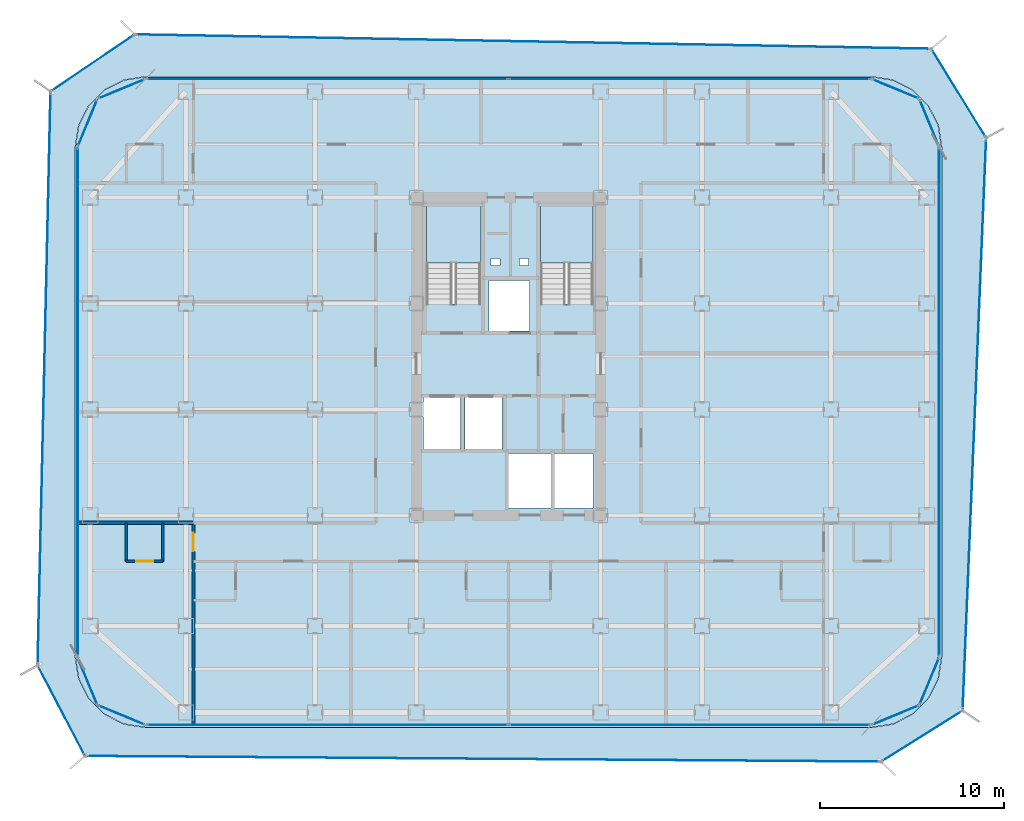
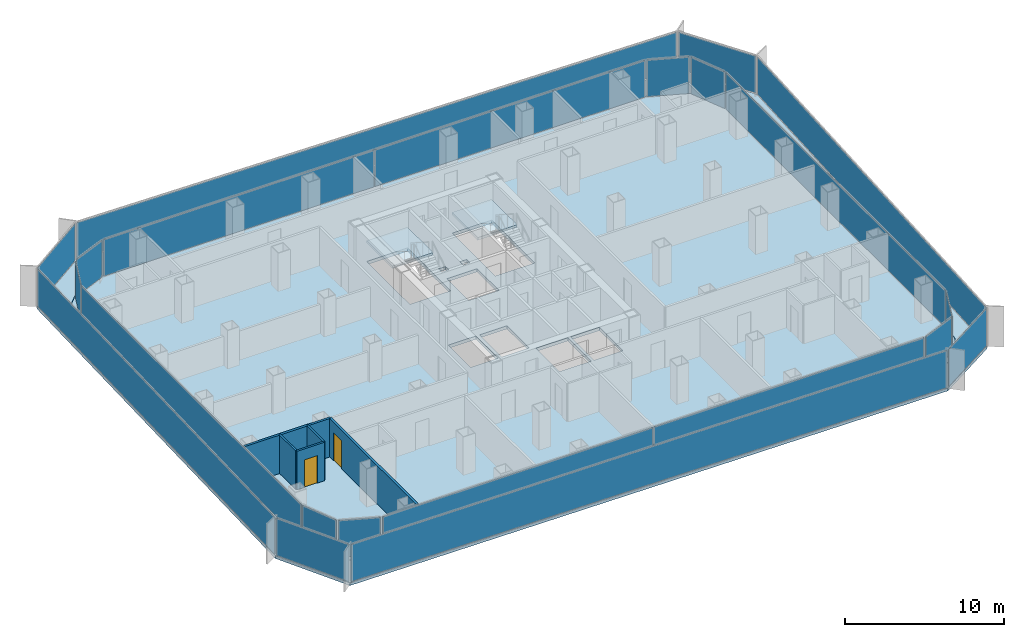
# One storey, part 15 of 21: 22 plates, 5 walls, 4 slabs, 2 doors, 2 openings, 22 elements without a shape of their own.
"""IFC4 building model written with IfcOpenShell, lengths in metres."""

from ifc_helpers import new_model, si_unit, direction, frame, frame_2d, origin, origin_2d, place, context, subcontext, project, spatial, polyline, rectangle, outline, extrude, source, transform, mapped, material, layer, layer_set, type_object, element, fill, aggregate, save


model = new_model("IFC4")

# Units and contexts
model_context = context("Model", 3, precision=1e-05, world=origin(), true_north=direction((0.0, 1.0)))
body_context = subcontext(model_context, "Body", "Model", "MODEL_VIEW")
ifc_project = project(units=[si_unit("LENGTHUNIT", "METRE"), si_unit("AREAUNIT", "SQUARE_METRE"), si_unit("VOLUMEUNIT", "CUBIC_METRE"), si_unit("PLANEANGLEUNIT", "RADIAN"), si_unit("MASSUNIT", "GRAM", prefix="KILO")], contexts=[model_context])

# Site, building, storey
site_placement = place(None, origin())
site = spatial("IfcSite", under=ifc_project, at=site_placement, CompositionType="ELEMENT")
building_placement = place(site_placement, origin())
building = spatial("IfcBuilding", under=site, at=building_placement, Name="Kolveth Station Tower", CompositionType="ELEMENT")
storey_placement = place(building_placement, frame((0.0, 0.0, 105.5)))
storey = spatial("IfcBuildingStorey", under=building, at=storey_placement, Name="L28", CompositionType="ELEMENT", Elevation=105.5)

# Slab
ifc_material_1 = material(Name="Concrete C40/50", Category="concrete")
ifc_layer_1 = layer(ifc_material_1, 0.25)
ifc_layer_set_1 = layer_set([ifc_layer_1], Name="Concrete C40/50")
slab_type_1 = type_object("IfcSlabType", Name="Slab_SF-250", PredefinedType="FLOOR", material=ifc_layer_set_1)
slab_1_placement = place(storey_placement, frame((0.0, 0.0, -0.25)))
element("IfcSlab", 1, at=slab_1_placement, inside=storey, type_object=slab_type_1, Name="L28 Tower Structural Floor Slab", PredefinedType="FLOOR", context=body_context, shape_type="SweptSolid", body=[
    extrude(outline(polyline([(43.199951171875, 0.0), (44.374267578125, 0.18603515625), (45.43359375, 0.7255859375), (46.2744140625, 1.56640625), (46.81396484375, 2.625732421875), (47.0, 3.800048828125), (47.0, 31.5), (46.81396484375, 32.67431640625), (46.2744140625, 33.733642578125), (45.43359375, 34.57421875), (44.374267578125, 35.114013671875), (43.199951171875, 35.300048828125), (3.800048828125, 35.300048828125), (2.625732421875, 35.114013671875), (1.56640625, 34.57421875), (0.7255859375, 33.733642578125), (0.18603515625, 32.67431640625), (0.0, 31.5), (0.0, 3.800048828125), (0.18603515625, 2.625732421875), (0.7255859375, 1.56640625), (1.56640625, 0.7255859375), (2.625732421875, 0.18603515625), (3.800048828125, 0.0), (43.199951171875, 0.0)]), holes=[polyline([(19.0400390625, 22.985107421875), (22.0, 22.985107421875), (22.0, 28.39990234375), (19.0400390625, 28.39990234375), (19.0400390625, 22.985107421875)]), polyline([(25.239990234375, 22.985107421875), (28.10009765625, 22.985107421875), (28.10009765625, 28.39990234375), (25.239990234375, 28.39990234375), (25.239990234375, 22.985107421875)]), polyline([(18.89990234375, 15.10009765625), (20.89990234375, 15.10009765625), (20.89990234375, 17.89990234375), (18.89990234375, 17.89990234375), (18.89990234375, 15.10009765625)]), polyline([(21.14990234375, 15.10009765625), (23.14990234375, 15.10009765625), (23.14990234375, 17.89990234375), (21.14990234375, 17.89990234375), (21.14990234375, 15.10009765625)]), polyline([(22.449951171875, 21.5), (24.64990234375, 21.5), (24.64990234375, 24.25), (22.449951171875, 24.25), (22.449951171875, 21.5)]), polyline([(23.5, 11.89990234375), (25.800048828125, 11.89990234375), (25.800048828125, 14.85009765625), (23.5, 14.85009765625), (23.5, 11.89990234375)]), polyline([(26.0, 11.89990234375), (28.10009765625, 11.89990234375), (28.10009765625, 14.85009765625), (26.0, 14.85009765625), (26.0, 11.89990234375)]), polyline([(22.550048828125, 25.050048828125), (23.050048828125, 25.050048828125), (23.050048828125, 25.449951171875), (22.550048828125, 25.449951171875), (22.550048828125, 25.050048828125)]), polyline([(24.10009765625, 25.050048828125), (24.60009765625, 25.050048828125), (24.60009765625, 25.449951171875), (24.10009765625, 25.449951171875), (24.10009765625, 25.050048828125)])]), origin(), (0.0, 0.0, 1.0), 0.25),
])

# Stair, slab
stair_type_1 = type_object("IfcStairType", Name="Stair_ST2", PredefinedType="HALF_TURN_STAIR", material=ifc_material_1)
stair_1_placement = place(storey_placement, origin())
stair_1 = element("IfcStair", 2, at=stair_1_placement, inside=storey, type_object=stair_type_1, Name="L28 Tower Exit Stair ST2", PredefinedType="HALF_TURN_STAIR")
ifc_layer_2 = layer(ifc_material_1, 0.18994140625)
ifc_layer_set_2 = layer_set([ifc_layer_2], Name="Concrete C40/50")
slab_type_2 = type_object("IfcSlabType", Name="Slab_SL-190", PredefinedType="LANDING", material=ifc_layer_set_2)
slab_2_placement = place(storey_placement, frame((0.0, 0.0, 1.39990234375)))
slab_2 = element("IfcSlab", 3, at=slab_2_placement, type_object=slab_type_2, Name="ST2 landing 1", PredefinedType="LANDING", context=body_context, shape_type="SweptSolid", body=[
    extrude(outline(polyline([(28.10009765625, 25.18994140625), (28.10009765625, 28.39990234375), (25.239990234375, 28.39990234375), (25.239990234375, 25.18994140625), (28.10009765625, 25.18994140625)])), origin(), (0.0, 0.0, 1.0), 0.2001953125),
])
aggregate(stair_1, [slab_2])

stair_type_2 = type_object("IfcStairType", Name="Stair_ST1", PredefinedType="HALF_TURN_STAIR", material=ifc_material_1)
stair_2_placement = place(storey_placement, origin())
stair_2 = element("IfcStair", 4, at=stair_2_placement, inside=storey, type_object=stair_type_2, Name="L28 Tower Exit Stair ST1", PredefinedType="HALF_TURN_STAIR")
ifc_layer_3 = layer(ifc_material_1, 0.205078125)
ifc_layer_set_3 = layer_set([ifc_layer_3], Name="Concrete C40/50")
slab_type_3 = type_object("IfcSlabType", Name="Slab_SL-205", PredefinedType="LANDING", material=ifc_layer_set_3)
slab_3_placement = place(storey_placement, frame((0.0, 0.0, 1.39990234375)))
slab_3 = element("IfcSlab", 5, at=slab_3_placement, type_object=slab_type_3, Name="ST1 landing 1", PredefinedType="LANDING", context=body_context, shape_type="SweptSolid", body=[
    extrude(outline(polyline([(22.0, 25.18994140625), (22.0, 28.39990234375), (19.0400390625, 28.39990234375), (19.0400390625, 25.18994140625), (22.0, 25.18994140625)])), origin(), (0.0, 0.0, 1.0), 0.2001953125),
])
aggregate(stair_2, [slab_3])

# Slab
ifc_layer_4 = layer(ifc_material_1, 0.2099609375)
ifc_layer_set_4 = layer_set([ifc_layer_4], Name="Concrete C40/50")
slab_type_4 = type_object("IfcSlabType", Name="Slab_ST-210", PredefinedType="FLOOR", material=ifc_layer_set_4)
slab_4_placement = place(storey_placement, frame((0.0, 0.0, -0.2099609375)))
element("IfcSlab", 6, at=slab_4_placement, inside=storey, type_object=slab_type_4, Name="L28 Double-Skin Cavity Structural Ledger Ring", PredefinedType="FLOOR", context=body_context, shape_type="SweptSolid", body=[
    extrude(outline(polyline([(0.52734375, -1.559326171875), (-2.049072265625, 3.3623046875), (-1.34521484375, 34.50830078125), (3.21826171875, 37.59814453125), (46.450439453125, 36.8203125), (49.429443359375, 31.985595703125), (48.150146484375, 0.904052734375), (43.728515625, -1.8681640625), (0.52734375, -1.559326171875)]), holes=[polyline([(43.202392578125, -0.014892578125), (44.376708984375, 0.171142578125), (44.381103515625, 0.172607421875), (45.4404296875, 0.71240234375), (45.444091796875, 0.715087890625), (46.284912109375, 1.555908203125), (46.28759765625, 1.5595703125), (46.827392578125, 2.618896484375), (46.828857421875, 2.623291015625), (47.014892578125, 3.797607421875), (47.014892578125, 3.800048828125), (47.014892578125, 31.5), (47.014892578125, 31.502197265625), (46.828857421875, 32.676513671875), (46.827392578125, 32.68115234375), (46.28759765625, 33.740478515625), (46.284912109375, 33.744140625), (45.444091796875, 34.5849609375), (45.4404296875, 34.587646484375), (44.381103515625, 35.12744140625), (44.376708984375, 35.12890625), (43.202392578125, 35.314697265625), (43.199951171875, 35.31494140625), (3.800048828125, 35.31494140625), (3.797607421875, 35.314697265625), (2.623291015625, 35.12890625), (2.618896484375, 35.12744140625), (1.5595703125, 34.587646484375), (1.555908203125, 34.5849609375), (0.715087890625, 33.744140625), (0.71240234375, 33.740478515625), (0.172607421875, 32.68115234375), (0.171142578125, 32.676513671875), (-0.014892578125, 31.502197265625), (-0.014892578125, 31.5), (-0.014892578125, 3.800048828125), (-0.014892578125, 3.797607421875), (0.171142578125, 2.623291015625), (0.172607421875, 2.618896484375), (0.71240234375, 1.5595703125), (0.715087890625, 1.555908203125), (1.555908203125, 0.715087890625), (1.5595703125, 0.71240234375), (2.618896484375, 0.172607421875), (2.623291015625, 0.171142578125), (3.797607421875, -0.014892578125), (3.800048828125, -0.014892578125), (43.199951171875, -0.014892578125), (43.202392578125, -0.014892578125)])]), origin(), (0.0, 0.0, 1.0), 0.2099609375),
])

# Curtain wall, plate
ifc_material_2 = material(Name="Aluminium 6063-T6 and low-E dark glass", Category="aluminium")
ifc_layer_5 = layer(ifc_material_2, 0.18994140625)
ifc_layer_set_5 = layer_set([ifc_layer_5], Name="Aluminium 6063-T6 and low-E dark glass")
curtain_wall_type_1 = type_object("IfcCurtainWallType", Name="CurtainWall_CW-Z2", PredefinedType="NOTDEFINED", material=ifc_layer_set_5)
curtain_wall_1_placement = place(storey_placement, origin())
curtain_wall_1 = element("IfcCurtainWall", 7, at=curtain_wall_1_placement, inside=storey, type_object=curtain_wall_type_1, Name="L28 Inner Thermal Curtain Wall 1", PredefinedType="NOTDEFINED")
ifc_material_3 = material(Name="Architectural low-E dark glass", Category="glass")
ifc_layer_6 = layer(ifc_material_3, 0.0380859375)
ifc_layer_set_6 = layer_set([ifc_layer_6], Name="Architectural low-E dark glass")
plate_type_1 = type_object("IfcPlateType", Name="Panel_GL2", PredefinedType="CURTAIN_PANEL", material=ifc_layer_set_6)
shared_shape_1 = source(origin(), body_context, "Body", "SweptSolid", [
    extrude(rectangle(XDim=2.670654296875, YDim=0.0380859375, at=origin_2d()), origin(), (0.0, 0.0, 1.0), 2.803955078125),
])
plate_1_placement = place(storey_placement, frame((44.501220703125, 0.658935546875, 0.0732421875), z_axis=(0.0, 0.0, 1.0), x_axis=(0.923887883787, 0.38266326998, 0.0)))
plate_1 = element("IfcPlate", 8, at=plate_1_placement, type_object=plate_type_1, Name="CW-Z2 panel 1.1", PredefinedType="CURTAIN_PANEL", context=body_context, shape_type="MappedRepresentation", body=[
    mapped(shared_shape_1, transform((0.0, 0.0, 0.0), x_axis=(1.0, 0.0, 0.0), y_axis=(0.0, 1.0, 0.0), z_axis=(0.0, 0.0, 1.0), scale=1.0)),
])
aggregate(curtain_wall_1, [plate_1])

curtain_wall_2_placement = place(storey_placement, origin())
curtain_wall_2 = element("IfcCurtainWall", 9, at=curtain_wall_2_placement, inside=storey, type_object=curtain_wall_type_1, Name="L28 Inner Thermal Curtain Wall 2", PredefinedType="NOTDEFINED")
plate_2_placement = place(storey_placement, frame((46.341064453125, 2.498779296875, 0.0732421875), z_axis=(0.0, 0.0, 1.0), x_axis=(0.38266326998, 0.923887883787, 0.0)))
plate_2 = element("IfcPlate", 10, at=plate_2_placement, type_object=plate_type_1, Name="CW-Z2 panel 1.1", PredefinedType="CURTAIN_PANEL", context=body_context, shape_type="MappedRepresentation", body=[
    mapped(shared_shape_1, transform((0.0, 0.0, 0.0), x_axis=(1.0, 0.0, 0.0), y_axis=(0.0, 1.0, 0.0), z_axis=(0.0, 0.0, 1.0), scale=1.0)),
])
aggregate(curtain_wall_2, [plate_2])

curtain_wall_3_placement = place(storey_placement, origin())
curtain_wall_3 = element("IfcCurtainWall", 11, at=curtain_wall_3_placement, inside=storey, type_object=curtain_wall_type_1, Name="L28 Inner Thermal Curtain Wall 4", PredefinedType="NOTDEFINED")
plate_3_placement = place(storey_placement, frame((46.341064453125, 32.801025390625, 0.0732421875), z_axis=(0.0, 0.0, 1.0), x_axis=(-0.38266326998, 0.923887883787, 0.0)))
plate_3 = element("IfcPlate", 12, at=plate_3_placement, type_object=plate_type_1, Name="CW-Z2 panel 1.1", PredefinedType="CURTAIN_PANEL", context=body_context, shape_type="MappedRepresentation", body=[
    mapped(shared_shape_1, transform((0.0, 0.0, 0.0), x_axis=(1.0, 0.0, 0.0), y_axis=(0.0, 1.0, 0.0), z_axis=(0.0, 0.0, 1.0), scale=1.0)),
])
aggregate(curtain_wall_3, [plate_3])

curtain_wall_4_placement = place(storey_placement, origin())
curtain_wall_4 = element("IfcCurtainWall", 13, at=curtain_wall_4_placement, inside=storey, type_object=curtain_wall_type_1, Name="L28 Inner Thermal Curtain Wall 5", PredefinedType="NOTDEFINED")
plate_4_placement = place(storey_placement, frame((44.501220703125, 34.64111328125, 0.0732421875), z_axis=(0.0, 0.0, 1.0), x_axis=(-0.923887883787, 0.38266326998, 0.0)))
plate_4 = element("IfcPlate", 14, at=plate_4_placement, type_object=plate_type_1, Name="CW-Z2 panel 1.1", PredefinedType="CURTAIN_PANEL", context=body_context, shape_type="MappedRepresentation", body=[
    mapped(shared_shape_1, transform((0.0, 0.0, 0.0), x_axis=(1.0, 0.0, 0.0), y_axis=(0.0, 1.0, 0.0), z_axis=(0.0, 0.0, 1.0), scale=1.0)),
])
aggregate(curtain_wall_4, [plate_4])

curtain_wall_5_placement = place(storey_placement, origin())
curtain_wall_5 = element("IfcCurtainWall", 15, at=curtain_wall_5_placement, inside=storey, type_object=curtain_wall_type_1, Name="L28 Inner Thermal Curtain Wall 7", PredefinedType="NOTDEFINED")
plate_5_placement = place(storey_placement, frame((2.498779296875, 34.64111328125, 0.0732421875), z_axis=(0.0, 0.0, 1.0), x_axis=(-0.923887883787, -0.38266326998, 0.0)))
plate_5 = element("IfcPlate", 16, at=plate_5_placement, type_object=plate_type_1, Name="CW-Z2 panel 1.1", PredefinedType="CURTAIN_PANEL", context=body_context, shape_type="MappedRepresentation", body=[
    mapped(shared_shape_1, transform((0.0, 0.0, 0.0), x_axis=(1.0, 0.0, 0.0), y_axis=(0.0, 1.0, 0.0), z_axis=(0.0, 0.0, 1.0), scale=1.0)),
])
aggregate(curtain_wall_5, [plate_5])

curtain_wall_6_placement = place(storey_placement, origin())
curtain_wall_6 = element("IfcCurtainWall", 17, at=curtain_wall_6_placement, inside=storey, type_object=curtain_wall_type_1, Name="L28 Inner Thermal Curtain Wall 8", PredefinedType="NOTDEFINED")
plate_6_placement = place(storey_placement, frame((0.658935546875, 32.801025390625, 0.0732421875), z_axis=(0.0, 0.0, 1.0), x_axis=(-0.38266326998, -0.923887883787, 0.0)))
plate_6 = element("IfcPlate", 18, at=plate_6_placement, type_object=plate_type_1, Name="CW-Z2 panel 1.1", PredefinedType="CURTAIN_PANEL", context=body_context, shape_type="MappedRepresentation", body=[
    mapped(shared_shape_1, transform((0.0, 0.0, 0.0), x_axis=(1.0, 0.0, 0.0), y_axis=(0.0, 1.0, 0.0), z_axis=(0.0, 0.0, 1.0), scale=1.0)),
])
aggregate(curtain_wall_6, [plate_6])

curtain_wall_7_placement = place(storey_placement, origin())
curtain_wall_7 = element("IfcCurtainWall", 19, at=curtain_wall_7_placement, inside=storey, type_object=curtain_wall_type_1, Name="L28 Inner Thermal Curtain Wall 10", PredefinedType="NOTDEFINED")
plate_7_placement = place(storey_placement, frame((0.658935546875, 2.498779296875, 0.0732421875), z_axis=(0.0, 0.0, 1.0), x_axis=(0.38266326998, -0.923887883787, 0.0)))
plate_7 = element("IfcPlate", 20, at=plate_7_placement, type_object=plate_type_1, Name="CW-Z2 panel 1.1", PredefinedType="CURTAIN_PANEL", context=body_context, shape_type="MappedRepresentation", body=[
    mapped(shared_shape_1, transform((0.0, 0.0, 0.0), x_axis=(1.0, 0.0, 0.0), y_axis=(0.0, 1.0, 0.0), z_axis=(0.0, 0.0, 1.0), scale=1.0)),
])
aggregate(curtain_wall_7, [plate_7])

curtain_wall_8_placement = place(storey_placement, origin())
curtain_wall_8 = element("IfcCurtainWall", 21, at=curtain_wall_8_placement, inside=storey, type_object=curtain_wall_type_1, Name="L28 Inner Thermal Curtain Wall 11", PredefinedType="NOTDEFINED")
plate_8_placement = place(storey_placement, frame((2.498779296875, 0.658935546875, 0.0732421875), z_axis=(0.0, 0.0, 1.0), x_axis=(0.923887883787, -0.38266326998, 0.0)))
plate_8 = element("IfcPlate", 22, at=plate_8_placement, type_object=plate_type_1, Name="CW-Z2 panel 1.1", PredefinedType="CURTAIN_PANEL", context=body_context, shape_type="MappedRepresentation", body=[
    mapped(shared_shape_1, transform((0.0, 0.0, 0.0), x_axis=(1.0, 0.0, 0.0), y_axis=(0.0, 1.0, 0.0), z_axis=(0.0, 0.0, 1.0), scale=1.0)),
])
aggregate(curtain_wall_8, [plate_8])

curtain_wall_9_placement = place(storey_placement, origin())
curtain_wall_9 = element("IfcCurtainWall", 23, at=curtain_wall_9_placement, inside=storey, type_object=curtain_wall_type_1, Name="L28 Inner Thermal Curtain Wall 3", PredefinedType="NOTDEFINED")
shared_shape_2 = source(origin(), body_context, "Body", "SweptSolid", [
    extrude(rectangle(XDim=27.553955078125, YDim=0.0380859375, at=origin_2d()), origin(), (0.0, 0.0, 1.0), 2.803955078125),
])
plate_9_placement = place(storey_placement, frame((46.8798828125, 17.64990234375, 0.0732421875), z_axis=(0.0, 0.0, 1.0), x_axis=(0.0, 1.0, 0.0)))
plate_9 = element("IfcPlate", 24, at=plate_9_placement, type_object=plate_type_1, Name="CW-Z2 panel 1.1", PredefinedType="CURTAIN_PANEL", context=body_context, shape_type="MappedRepresentation", body=[
    mapped(shared_shape_2, transform((0.0, 0.0, 0.0), x_axis=(1.0, 0.0, 0.0), y_axis=(0.0, 1.0, 0.0), z_axis=(0.0, 0.0, 1.0), scale=1.0)),
])
aggregate(curtain_wall_9, [plate_9])

curtain_wall_10_placement = place(storey_placement, origin())
curtain_wall_10 = element("IfcCurtainWall", 25, at=curtain_wall_10_placement, inside=storey, type_object=curtain_wall_type_1, Name="L28 Inner Thermal Curtain Wall 9", PredefinedType="NOTDEFINED")
plate_10_placement = place(storey_placement, frame((0.1201171875, 17.64990234375, 0.0732421875), z_axis=(0.0, 0.0, 1.0), x_axis=(0.0, -1.0, 0.0)))
plate_10 = element("IfcPlate", 26, at=plate_10_placement, type_object=plate_type_1, Name="CW-Z2 panel 1.1", PredefinedType="CURTAIN_PANEL", context=body_context, shape_type="MappedRepresentation", body=[
    mapped(shared_shape_2, transform((0.0, 0.0, 0.0), x_axis=(1.0, 0.0, 0.0), y_axis=(0.0, 1.0, 0.0), z_axis=(0.0, 0.0, 1.0), scale=1.0)),
])
aggregate(curtain_wall_10, [plate_10])

# Curtain wall, plates
curtain_wall_11_placement = place(storey_placement, origin())
curtain_wall_11 = element("IfcCurtainWall", 27, at=curtain_wall_11_placement, inside=storey, type_object=curtain_wall_type_1, Name="L28 Inner Thermal Curtain Wall 6", PredefinedType="NOTDEFINED")
shared_shape_3 = source(origin(), body_context, "Body", "SweptSolid", [
    extrude(rectangle(XDim=19.593994140625, YDim=0.0380859375, at=origin_2d()), origin(), (0.0, 0.0, 1.0), 2.803955078125),
])
plate_11_placement = place(storey_placement, frame((33.330078125, 35.179931640625, 0.0732421875), z_axis=(0.0, 0.0, 1.0), x_axis=(-1.0, 0.0, 0.0)))
plate_11 = element("IfcPlate", 28, at=plate_11_placement, type_object=plate_type_1, Name="CW-Z2 panel 1.1", PredefinedType="CURTAIN_PANEL", context=body_context, shape_type="MappedRepresentation", body=[
    mapped(shared_shape_3, transform((0.0, 0.0, 0.0), x_axis=(1.0, 0.0, 0.0), y_axis=(0.0, 1.0, 0.0), z_axis=(0.0, 0.0, 1.0), scale=1.0)),
])
plate_12_placement = place(storey_placement, frame((13.669921875, 35.179931640625, 0.0732421875), z_axis=(0.0, 0.0, 1.0), x_axis=(-1.0, 0.0, 0.0)))
plate_12 = element("IfcPlate", 29, at=plate_12_placement, type_object=plate_type_1, Name="CW-Z2 panel 2.1", PredefinedType="CURTAIN_PANEL", context=body_context, shape_type="MappedRepresentation", body=[
    mapped(shared_shape_3, transform((0.0, 0.0, 0.0), x_axis=(1.0, 0.0, 0.0), y_axis=(0.0, 1.0, 0.0), z_axis=(0.0, 0.0, 1.0), scale=1.0)),
])
aggregate(curtain_wall_11, [plate_11, plate_12])

curtain_wall_12_placement = place(storey_placement, origin())
curtain_wall_12 = element("IfcCurtainWall", 30, at=curtain_wall_12_placement, inside=storey, type_object=curtain_wall_type_1, Name="L28 Inner Thermal Curtain Wall 12", PredefinedType="NOTDEFINED")
plate_13_placement = place(storey_placement, frame((13.669921875, 0.1201171875, 0.0732421875), z_axis=(0.0, 0.0, 1.0), x_axis=(1.0, 0.0, 0.0)))
plate_13 = element("IfcPlate", 31, at=plate_13_placement, type_object=plate_type_1, Name="CW-Z2 panel 1.1", PredefinedType="CURTAIN_PANEL", context=body_context, shape_type="MappedRepresentation", body=[
    mapped(shared_shape_3, transform((0.0, 0.0, 0.0), x_axis=(1.0, 0.0, 0.0), y_axis=(0.0, 1.0, 0.0), z_axis=(0.0, 0.0, 1.0), scale=1.0)),
])
plate_14_placement = place(storey_placement, frame((33.330078125, 0.1201171875, 0.0732421875), z_axis=(0.0, 0.0, 1.0), x_axis=(1.0, 0.0, 0.0)))
plate_14 = element("IfcPlate", 32, at=plate_14_placement, type_object=plate_type_1, Name="CW-Z2 panel 2.1", PredefinedType="CURTAIN_PANEL", context=body_context, shape_type="MappedRepresentation", body=[
    mapped(shared_shape_3, transform((0.0, 0.0, 0.0), x_axis=(1.0, 0.0, 0.0), y_axis=(0.0, 1.0, 0.0), z_axis=(0.0, 0.0, 1.0), scale=1.0)),
])
aggregate(curtain_wall_12, [plate_13, plate_14])

# Curtain wall, plate
ifc_material_4 = material(Name="Black anodized aluminium 6063-T6 and dark solar glass", Category="aluminium")
ifc_layer_7 = layer(ifc_material_4, 0.159912109375)
ifc_layer_set_7 = layer_set([ifc_layer_7], Name="Black anodized aluminium 6063-T6 and dark solar glass")
curtain_wall_type_2 = type_object("IfcCurtainWallType", Name="OUTER SKIN CW-OS", PredefinedType="NOTDEFINED", material=ifc_layer_set_7)
curtain_wall_13_placement = place(storey_placement, origin())
curtain_wall_13 = element("IfcCurtainWall", 33, at=curtain_wall_13_placement, inside=storey, type_object=curtain_wall_type_2, Name="L28 Outer Ventilated Skin Curtain Wall 1", PredefinedType="NOTDEFINED")
ifc_layer_8 = layer(ifc_material_3, 0.028076171875)
ifc_layer_set_8 = layer_set([ifc_layer_8], Name="Architectural low-E dark glass")
plate_type_2 = type_object("IfcPlateType", Name="Panel_GL-OS", PredefinedType="CURTAIN_PANEL", material=ifc_layer_set_8)
shared_shape_4 = source(origin(), body_context, "Body", "SweptSolid", [
    extrude(rectangle(XDim=5.052490234375, YDim=0.028076171875, at=origin_2d()), origin(), (0.0, 0.0, 1.0), 2.843994140625),
])
plate_15_placement = place(storey_placement, frame((45.939453125, -0.48193359375, 0.0732421875), z_axis=(0.0, 0.0, 1.0), x_axis=(0.847251434555, 0.531192061917, 0.0)))
plate_15 = element("IfcPlate", 34, at=plate_15_placement, type_object=plate_type_2, Name="CW-OS panel 1.1", PredefinedType="CURTAIN_PANEL", context=body_context, shape_type="MappedRepresentation", body=[
    mapped(shared_shape_4, transform((0.0, 0.0, 0.0), x_axis=(1.0, 0.0, 0.0), y_axis=(0.0, 1.0, 0.0), z_axis=(0.0, 0.0, 1.0), scale=1.0)),
])
aggregate(curtain_wall_13, [plate_15])

curtain_wall_14_placement = place(storey_placement, origin())
curtain_wall_14 = element("IfcCurtainWall", 35, at=curtain_wall_14_placement, inside=storey, type_object=curtain_wall_type_2, Name="L28 Outer Ventilated Skin Curtain Wall 2", PredefinedType="NOTDEFINED")
shared_shape_5 = source(origin(), body_context, "Body", "SweptSolid", [
    extrude(rectangle(XDim=30.94189453125, YDim=0.028076171875, at=origin_2d()), origin(), (0.0, 0.0, 1.0), 2.843994140625),
])
plate_16_placement = place(storey_placement, frame((48.789794921875, 16.44482421875, 0.0732421875), z_axis=(0.0, 0.0, 1.0), x_axis=(0.041127657099, 0.999153899968, 0.0)))
plate_16 = element("IfcPlate", 36, at=plate_16_placement, type_object=plate_type_2, Name="CW-OS panel 1.1", PredefinedType="CURTAIN_PANEL", context=body_context, shape_type="MappedRepresentation", body=[
    mapped(shared_shape_5, transform((0.0, 0.0, 0.0), x_axis=(1.0, 0.0, 0.0), y_axis=(0.0, 1.0, 0.0), z_axis=(0.0, 0.0, 1.0), scale=1.0)),
])
aggregate(curtain_wall_14, [plate_16])

curtain_wall_15_placement = place(storey_placement, origin())
curtain_wall_15 = element("IfcCurtainWall", 37, at=curtain_wall_15_placement, inside=storey, type_object=curtain_wall_type_2, Name="L28 Outer Ventilated Skin Curtain Wall 3", PredefinedType="NOTDEFINED")
shared_shape_6 = source(origin(), body_context, "Body", "SweptSolid", [
    extrude(rectangle(XDim=5.5126953125, YDim=0.028076171875, at=origin_2d()), origin(), (0.0, 0.0, 1.0), 2.843994140625),
])
plate_17_placement = place(storey_placement, frame((47.93994140625, 34.403076171875, 0.0732421875), z_axis=(0.0, 0.0, 1.0), x_axis=(-0.524590558272, 0.85135465358, 0.0)))
plate_17 = element("IfcPlate", 38, at=plate_17_placement, type_object=plate_type_2, Name="CW-OS panel 1.1", PredefinedType="CURTAIN_PANEL", context=body_context, shape_type="MappedRepresentation", body=[
    mapped(shared_shape_6, transform((0.0, 0.0, 0.0), x_axis=(1.0, 0.0, 0.0), y_axis=(0.0, 1.0, 0.0), z_axis=(0.0, 0.0, 1.0), scale=1.0)),
])
aggregate(curtain_wall_15, [plate_17])

curtain_wall_16_placement = place(storey_placement, origin())
curtain_wall_16 = element("IfcCurtainWall", 39, at=curtain_wall_16_placement, inside=storey, type_object=curtain_wall_type_2, Name="L28 Outer Ventilated Skin Curtain Wall 4", PredefinedType="NOTDEFINED")
shared_shape_7 = source(origin(), body_context, "Body", "SweptSolid", [
    extrude(rectangle(XDim=43.0732421875, YDim=0.028076171875, at=origin_2d()), origin(), (0.0, 0.0, 1.0), 2.843994140625),
])
plate_18_placement = place(storey_placement, frame((24.834228515625, 37.209228515625, 0.0732421875), z_axis=(0.0, 0.0, 1.0), x_axis=(-0.99983815644, 0.017990578845, 0.0)))
plate_18 = element("IfcPlate", 40, at=plate_18_placement, type_object=plate_type_2, Name="CW-OS panel 1.1", PredefinedType="CURTAIN_PANEL", context=body_context, shape_type="MappedRepresentation", body=[
    mapped(shared_shape_7, transform((0.0, 0.0, 0.0), x_axis=(1.0, 0.0, 0.0), y_axis=(0.0, 1.0, 0.0), z_axis=(0.0, 0.0, 1.0), scale=1.0)),
])
aggregate(curtain_wall_16, [plate_18])

curtain_wall_17_placement = place(storey_placement, origin())
curtain_wall_17 = element("IfcCurtainWall", 41, at=curtain_wall_17_placement, inside=storey, type_object=curtain_wall_type_2, Name="L28 Outer Ventilated Skin Curtain Wall 5", PredefinedType="NOTDEFINED")
shared_shape_8 = source(origin(), body_context, "Body", "SweptSolid", [
    extrude(rectangle(XDim=5.34521484375, YDim=0.028076171875, at=origin_2d()), origin(), (0.0, 0.0, 1.0), 2.843994140625),
])
plate_19_placement = place(storey_placement, frame((0.9365234375, 36.05322265625, 0.0732421875), z_axis=(0.0, 0.0, 1.0), x_axis=(-0.828025489561, -0.560690457059, 0.0)))
plate_19 = element("IfcPlate", 42, at=plate_19_placement, type_object=plate_type_2, Name="CW-OS panel 1.1", PredefinedType="CURTAIN_PANEL", context=body_context, shape_type="MappedRepresentation", body=[
    mapped(shared_shape_8, transform((0.0, 0.0, 0.0), x_axis=(1.0, 0.0, 0.0), y_axis=(0.0, 1.0, 0.0), z_axis=(0.0, 0.0, 1.0), scale=1.0)),
])
aggregate(curtain_wall_17, [plate_19])

curtain_wall_18_placement = place(storey_placement, origin())
curtain_wall_18 = element("IfcCurtainWall", 43, at=curtain_wall_18_placement, inside=storey, type_object=curtain_wall_type_2, Name="L28 Outer Ventilated Skin Curtain Wall 6", PredefinedType="NOTDEFINED")
shared_shape_9 = source(origin(), body_context, "Body", "SweptSolid", [
    extrude(rectangle(XDim=30.98779296875, YDim=0.028076171875, at=origin_2d()), origin(), (0.0, 0.0, 1.0), 2.843994140625),
])
plate_20_placement = place(storey_placement, frame((-1.697021484375, 18.935302734375, 0.0732421875), z_axis=(0.0, 0.0, 1.0), x_axis=(-0.022594388462, -0.99974471422, 0.0)))
plate_20 = element("IfcPlate", 44, at=plate_20_placement, type_object=plate_type_2, Name="CW-OS panel 1.1", PredefinedType="CURTAIN_PANEL", context=body_context, shape_type="MappedRepresentation", body=[
    mapped(shared_shape_9, transform((0.0, 0.0, 0.0), x_axis=(1.0, 0.0, 0.0), y_axis=(0.0, 1.0, 0.0), z_axis=(0.0, 0.0, 1.0), scale=1.0)),
])
aggregate(curtain_wall_18, [plate_20])

curtain_wall_19_placement = place(storey_placement, origin())
curtain_wall_19 = element("IfcCurtainWall", 45, at=curtain_wall_19_placement, inside=storey, type_object=curtain_wall_type_2, Name="L28 Outer Ventilated Skin Curtain Wall 7", PredefinedType="NOTDEFINED")
shared_shape_10 = source(origin(), body_context, "Body", "SweptSolid", [
    extrude(rectangle(XDim=5.38916015625, YDim=0.028076171875, at=origin_2d()), origin(), (0.0, 0.0, 1.0), 2.843994140625),
])
plate_21_placement = place(storey_placement, frame((-0.7607421875, 0.901611328125, 0.0732421875), z_axis=(0.0, 0.0, 1.0), x_axis=(0.463762136464, -0.88595975122, 0.0)))
plate_21 = element("IfcPlate", 46, at=plate_21_placement, type_object=plate_type_2, Name="CW-OS panel 1.1", PredefinedType="CURTAIN_PANEL", context=body_context, shape_type="MappedRepresentation", body=[
    mapped(shared_shape_10, transform((0.0, 0.0, 0.0), x_axis=(1.0, 0.0, 0.0), y_axis=(0.0, 1.0, 0.0), z_axis=(0.0, 0.0, 1.0), scale=1.0)),
])
aggregate(curtain_wall_19, [plate_21])

curtain_wall_20_placement = place(storey_placement, origin())
curtain_wall_20 = element("IfcCurtainWall", 47, at=curtain_wall_20_placement, inside=storey, type_object=curtain_wall_type_2, Name="L28 Outer Ventilated Skin Curtain Wall 8", PredefinedType="NOTDEFINED")
shared_shape_11 = source(origin(), body_context, "Body", "SweptSolid", [
    extrude(rectangle(XDim=43.036376953125, YDim=0.028076171875, at=origin_2d()), origin(), (0.0, 0.0, 1.0), 2.843994140625),
])
plate_22_placement = place(storey_placement, frame((22.1279296875, -1.713623046875, 0.0732421875), z_axis=(0.0, 0.0, 1.0), x_axis=(0.999974454505, -0.007147750448, 0.0)))
plate_22 = element("IfcPlate", 48, at=plate_22_placement, type_object=plate_type_2, Name="CW-OS panel 1.1", PredefinedType="CURTAIN_PANEL", context=body_context, shape_type="MappedRepresentation", body=[
    mapped(shared_shape_11, transform((0.0, 0.0, 0.0), x_axis=(1.0, 0.0, 0.0), y_axis=(0.0, 1.0, 0.0), z_axis=(0.0, 0.0, 1.0), scale=1.0)),
])
aggregate(curtain_wall_20, [plate_22])

# Walls
ifc_material_5 = material(Name="Moisture-resistant gypsum partition")
ifc_layer_9 = layer(ifc_material_5, 0.135009765625)
ifc_layer_set_9 = layer_set([ifc_layer_9], Name="Moisture-resistant gypsum partition")
wall_type_1 = type_object("IfcWallType", Name="Wall_IW-135", PredefinedType="PARTITIONING", material=ifc_layer_set_9)
for number, where, z_axis, x_axis, name in (
    (49, (2.75, 9.0, 0.0), (0.0, 0.0, 1.0), (0.0, 1.0, 0.0), "L28 Partition Wall WL-L28-WS1-BV1"),
    (50, (4.75, 9.0, 0.0), (0.0, 0.0, 1.0), (0.0, 1.0, 0.0), "L28 Partition Wall WL-L28-WS1-BV2"),
):
    element("IfcWall", number, at=place(storey_placement, frame(where, z_axis=z_axis, x_axis=x_axis)), inside=storey, type_object=wall_type_1, Name=name, PredefinedType="PARTITIONING", context=body_context, shape_type="SweptSolid", body=[
        extrude(rectangle(XDim=2.10009765625, YDim=0.135009765625, at=frame_2d((1.050048828125, 0.0))), origin(), (0.0, 0.0, 1.0), 2.949951171875),
    ])

# Wall, opening, door
wall_1_placement = place(storey_placement, frame((2.75, 9.0, 0.0), z_axis=(0.0, 0.0, 1.0), x_axis=(1.0, 0.0, 0.0)))
wall_1 = element("IfcWall", 51, at=wall_1_placement, inside=storey, type_object=wall_type_1, Name="L28 Partition Wall WL-L28-WS1-BH", PredefinedType="PARTITIONING", context=body_context, shape_type="SweptSolid", body=[
    extrude(rectangle(XDim=2.0, YDim=0.135009765625, at=frame_2d((1.0, 0.0))), origin(), (0.0, 0.0, 1.0), 2.949951171875),
])
opening_1_placement = place(wall_1_placement, frame((0.5400390625, 0.0, 0.0)))
opening_1 = element("IfcOpeningElement", 52, at=opening_1_placement, cuts=wall_1, Name="Opening ID2", PredefinedType="OPENING", context=body_context, shape_type="SweptSolid", body=[
    extrude(rectangle(XDim=0.919921875, YDim=2.10009765625, at=frame_2d((0.4599609375, 1.050048828125))), frame((0.0, 0.077392578125, 0.0), z_axis=(0.0, -1.0, 0.0), x_axis=(1.0, 0.0, 0.0)), (0.0, 0.0, 1.0), 0.155029296875),
])
ifc_material_6 = material(Name="Moisture-resistant hardwood leaf", Category="wood")
door_type_1 = type_object("IfcDoorType", Name="Door_ID2", OperationType="NOTDEFINED", PredefinedType="DOOR", material=ifc_material_6)
door_1_placement = place(opening_1_placement, origin())
door_1 = element("IfcDoor", 53, at=door_1_placement, inside=storey, type_object=door_type_1, Name="L28 Hotel Corner Suite WS1 En-Suite Door", OperationType="SINGLE_SWING_RIGHT", OverallHeight=2.10009765625, OverallWidth=0.919921875, PredefinedType="DOOR", context=body_context, shape_type="SweptSolid", body=[
    extrude(rectangle(XDim=0.919921875, YDim=2.10009765625, at=frame_2d((0.4599609375, 1.050048828125))), frame((0.0, 0.02490234375, 0.0), z_axis=(0.0, -1.0, 0.0), x_axis=(1.0, 0.0, 0.0)), (0.0, 0.0, 1.0), 0.050048828125),
])
fill(opening_1, door_1)

ifc_material_7 = material(Name="Acoustic double-stud gypsum partition")
ifc_layer_10 = layer(ifc_material_7, 0.1650390625)
ifc_layer_set_10 = layer_set([ifc_layer_10], Name="Acoustic double-stud gypsum partition")
wall_type_2 = type_object("IfcWallType", Name="Wall_IW-165", PredefinedType="PARTITIONING", material=ifc_layer_set_10)
wall_2_placement = place(storey_placement, frame((6.39990234375, 0.159912109375, 0.0), z_axis=(0.0, 0.0, 1.0), x_axis=(0.0, 1.0, 0.0)))
wall_2 = element("IfcWall", 54, at=wall_2_placement, inside=storey, type_object=wall_type_2, Name="L28 Partition Wall WL-L28-END-WS", PredefinedType="PARTITIONING", context=body_context, shape_type="SweptSolid", body=[
    extrude(rectangle(XDim=10.940185546875, YDim=0.1650390625, at=frame_2d((5.47021484375, 0.0))), origin(), (0.0, 0.0, 1.0), 2.949951171875),
])
opening_2_placement = place(wall_2_placement, frame((9.389892578125, 0.0, 0.0)))
opening_2 = element("IfcOpeningElement", 55, at=opening_2_placement, cuts=wall_2, Name="Opening FD3", PredefinedType="OPENING", context=body_context, shape_type="SweptSolid", body=[
    extrude(rectangle(XDim=1.0, YDim=2.14990234375, at=frame_2d((0.5, 1.074951171875))), frame((0.0, 0.092529296875, 0.0), z_axis=(0.0, -1.0, 0.0), x_axis=(1.0, 0.0, 0.0)), (0.0, 0.0, 1.0), 0.18505859375),
])
ifc_material_8 = material(Name="Fire-rated hardwood leaf and aluminium frame", Category="wood")
door_type_2 = type_object("IfcDoorType", Name="Door_FD3", OperationType="NOTDEFINED", PredefinedType="DOOR", material=ifc_material_8)
door_2_placement = place(opening_2_placement, origin())
door_2 = element("IfcDoor", 56, at=door_2_placement, inside=storey, type_object=door_type_2, Name="L28 Hotel Corner Suite WS1 Entrance Door", OperationType="SINGLE_SWING_LEFT", OverallHeight=2.14990234375, OverallWidth=1.0, PredefinedType="DOOR", context=body_context, shape_type="SweptSolid", body=[
    extrude(rectangle(XDim=1.0, YDim=2.14990234375, at=frame_2d((0.5, 1.074951171875))), frame((0.0, 0.02490234375, 0.0), z_axis=(0.0, -1.0, 0.0), x_axis=(1.0, 0.0, 0.0)), (0.0, 0.0, 1.0), 0.050048828125),
])
fill(opening_2, door_2)

# Wall
wall_3_placement = place(storey_placement, frame((0.159912109375, 11.10009765625, 0.0), z_axis=(0.0, 0.0, 1.0), x_axis=(1.0, 0.0, 0.0)))
element("IfcWall", 57, at=wall_3_placement, inside=storey, type_object=wall_type_2, Name="L28 Partition Wall WL-L28-WM1", PredefinedType="PARTITIONING", context=body_context, shape_type="SweptSolid", body=[
    extrude(rectangle(XDim=6.239990234375, YDim=0.1650390625, at=frame_2d((3.1201171875, 0.0))), origin(), (0.0, 0.0, 1.0), 2.949951171875),
])

save(model, "model.ifc")
